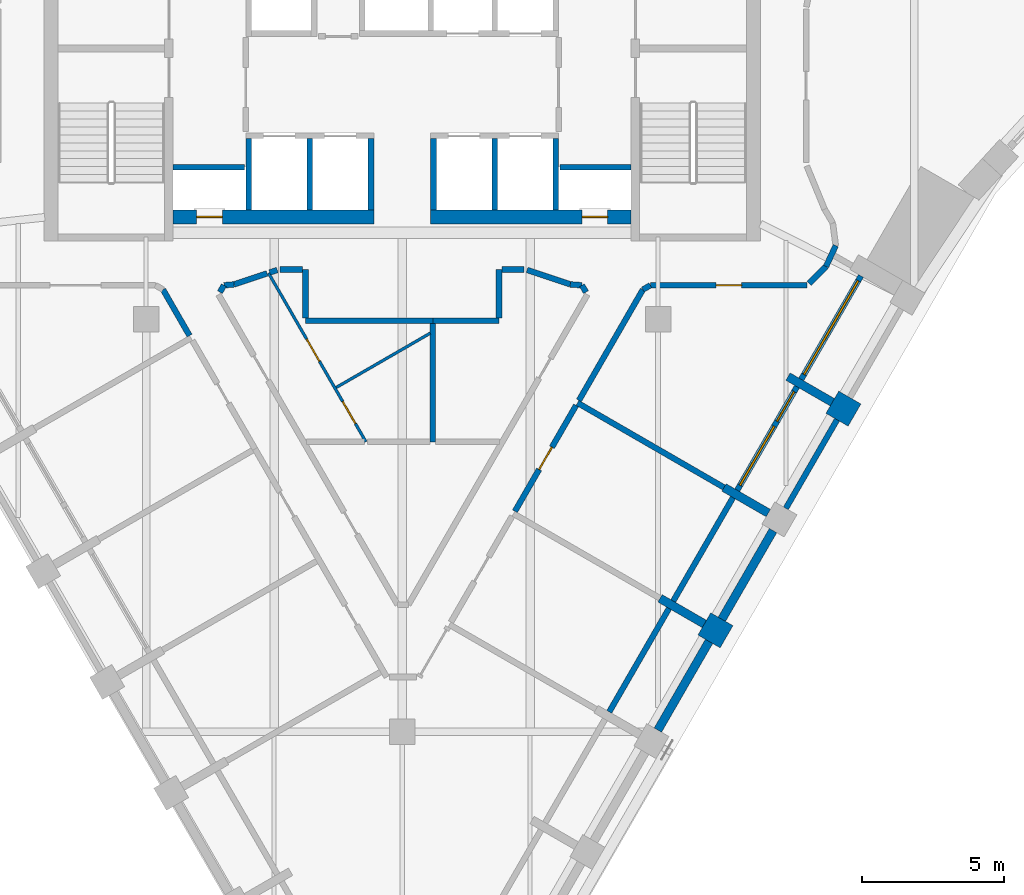
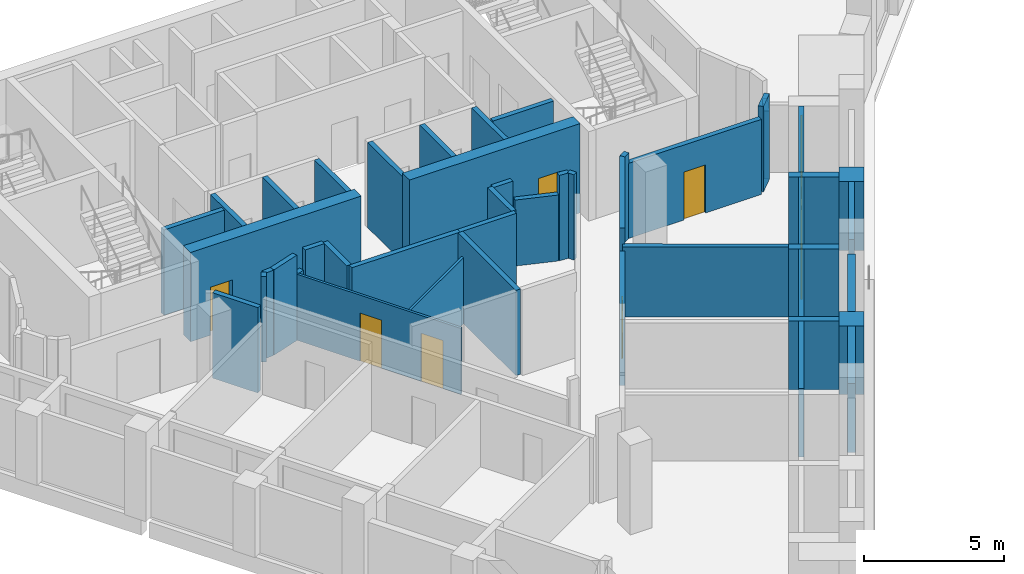
# One storey, part 4 of 9: 46 walls, 7 doors, 2 windows, 9 openings.
"""IFC4 building model written with IfcOpenShell, lengths in metres."""

import ifcopenshell
import ifcopenshell.guid

model = None  # the IFC model being written
_history = None  # IfcOwnerHistory: only IFC2X3 demands one
_inside = {}  # id of a spatial element -> (the spatial element, [elements in it])
_under = {}  # id of a project, library or spatial element -> (it, [spatial elements below it])
_declared = {}  # id of a project -> (the project, [libraries it declares])
_typed = {}  # id of a type object -> (the type object, [elements of that type])
_made_of = {}  # id of a material, layer set ... -> (it, [elements and type objects made of it])


def new_model(schema):
    """Start an empty IFC model of exactly this schema.

    Asked for "IFC4X3", IfcOpenShell would pick the latest addendum, in which some entities
    have other attributes; the version numbers below select the first issue.
    IFC2X3 requires an IfcOwnerHistory on every rooted entity: one is made here for all.
    """
    global model, _history
    if schema == "IFC4X3":
        model = ifcopenshell.file(schema_version=(4, 3, 0, 0))
    else:
        model = ifcopenshell.file(schema=schema)
    _inside.clear()
    _under.clear()
    _declared.clear()
    _typed.clear()
    _made_of.clear()
    _history = None
    if model.schema == "IFC2X3":
        org = make("IfcOrganization", Name="unknown")
        user = make(
            "IfcPersonAndOrganization",
            ThePerson=make("IfcPerson", FamilyName="unknown"),
            TheOrganization=org,
        )
        app = make(
            "IfcApplication",
            ApplicationDeveloper=org,
            Version="unknown",
            ApplicationFullName="unknown",
            ApplicationIdentifier="unknown",
        )
        _history = make(
            "IfcOwnerHistory",
            OwningUser=user,
            OwningApplication=app,
            ChangeAction="ADDED",
            CreationDate=0,
        )
    return model


def make(cls, **values):
    """One entity of the class cls with the attributes given. An attribute that is None is left unset."""
    return model.create_entity(
        cls, **{name: value for name, value in values.items() if value is not None}
    )


def rooted(cls, **values):
    """An entity with a GlobalId (a new one), such as an element, a storey or a relation."""
    return make(cls, GlobalId=ifcopenshell.guid.new(), OwnerHistory=_history, **values)


def si_unit(unit_type, name, prefix=None):
    """IfcSIUnit, for example si_unit("LENGTHUNIT", "METRE", prefix="MILLI")."""
    return make("IfcSIUnit", UnitType=unit_type, Prefix=prefix, Name=name)


def assignment(units):
    """IfcUnitAssignment: the units of a project."""
    return None if units is None else make("IfcUnitAssignment", Units=units)


def point(xyz):
    """IfcCartesianPoint."""
    return None if xyz is None else make("IfcCartesianPoint", Coordinates=xyz)


def direction(xyz):
    """IfcDirection."""
    return None if xyz is None else make("IfcDirection", DirectionRatios=xyz)


def frame(location, z_axis=None, x_axis=None):
    """IfcAxis2Placement3D, a coordinate frame: its origin and axes. An axis left out is left unset."""
    return make(
        "IfcAxis2Placement3D",
        Location=point(location),
        Axis=direction(z_axis),
        RefDirection=direction(x_axis),
    )


def frame_2d(location, x_axis=None):
    """IfcAxis2Placement2D, a coordinate frame in the plane: its origin and x axis."""
    return make(
        "IfcAxis2Placement2D", Location=point(location), RefDirection=direction(x_axis)
    )


def origin():
    """The frame at (0, 0, 0) with its axes left unset."""
    return frame((0.0, 0.0, 0.0))


def place(relative_to, where):
    """IfcLocalPlacement: puts the frame where relative to a parent placement (None: the world)."""
    return make(
        "IfcLocalPlacement", PlacementRelTo=relative_to, RelativePlacement=where
    )


def context(
    kind, dimensions, precision=None, world=None, true_north=None, identifier=None
):
    """IfcGeometricRepresentationContext, for example the 3D "Model" context."""
    return make(
        "IfcGeometricRepresentationContext",
        ContextIdentifier=identifier,
        ContextType=kind,
        CoordinateSpaceDimension=dimensions,
        Precision=precision,
        WorldCoordinateSystem=world,
        TrueNorth=true_north,
    )


def subcontext(parent, identifier, kind, view, scale=None):
    """IfcGeometricRepresentationSubContext, for example "Body" below "Model"."""
    return make(
        "IfcGeometricRepresentationSubContext",
        ContextIdentifier=identifier,
        ContextType=kind,
        ParentContext=parent,
        TargetScale=scale,
        TargetView=view,
    )


def project(units=None, contexts=None):
    """IfcProject with its units and contexts."""
    return rooted(
        "IfcProject",
        Name="project",
        RepresentationContexts=contexts,
        UnitsInContext=assignment(units),
    )


def spatial(cls, under=None, at=None, **own):
    """A site, building, storey or space (cls), placed at a placement, below another one or the project."""
    s = rooted(cls, ObjectPlacement=at, **own)
    if under is not None:
        _under.setdefault(under.id(), (under, []))[1].append(s)
    return s


def polyline(points):
    """IfcPolyline through the points."""
    return make("IfcPolyline", Points=[point(p) for p in points])


def profile(cls, at=None, kind="AREA", **sizes):
    """A parametric profile (cls). Its sizes go by their IFC names, for example OverallWidth=200.0."""
    return make(cls, ProfileType=kind, Position=at, **sizes)


def rectangle(**sizes):
    """IfcRectangleProfileDef."""
    return profile("IfcRectangleProfileDef", **sizes)


def outline(outer, holes=None, kind="AREA"):
    """IfcArbitraryClosedProfileDef: a profile drawn as a closed curve; with holes, ...WithVoids."""
    if holes is None:
        return make("IfcArbitraryClosedProfileDef", ProfileType=kind, OuterCurve=outer)
    return make(
        "IfcArbitraryProfileDefWithVoids",
        ProfileType=kind,
        OuterCurve=outer,
        InnerCurves=holes,
    )


def extrude(swept, where, along, depth):
    """IfcExtrudedAreaSolid: the profile swept, set in the frame where, extruded along a direction by depth."""
    return make(
        "IfcExtrudedAreaSolid",
        SweptArea=swept,
        Position=where,
        ExtrudedDirection=direction(along),
        Depth=depth,
    )


def shape(context_of_items, identifier, shape_type, items):
    """IfcShapeRepresentation: the items that make up one representation, for example the "Body"."""
    return make(
        "IfcShapeRepresentation",
        ContextOfItems=context_of_items,
        RepresentationIdentifier=identifier,
        RepresentationType=shape_type,
        Items=items,
    )


def material(Name=None, Category=None):
    """IfcMaterial."""
    return make("IfcMaterial", Name=Name, Category=Category)


def layer(
    of_material, thickness, ventilated=None, Name=None, Category=None, Priority=None
):
    """IfcMaterialLayer: one layer of a wall or slab, of a material (None: an air gap)."""
    return make(
        "IfcMaterialLayer",
        Material=of_material,
        LayerThickness=thickness,
        IsVentilated=ventilated,
        Name=Name,
        Category=Category,
        Priority=Priority,
    )


def layer_set(layers, Name=None):
    """IfcMaterialLayerSet."""
    return make("IfcMaterialLayerSet", MaterialLayers=layers, LayerSetName=Name)


def made_of(thing, what):
    """Note that an element or type object is made of a material, layer set ...; save() writes the relation."""
    if what is not None:
        _made_of.setdefault(what.id(), (what, []))[1].append(thing)
    return thing


def type_object(cls, material=None, **own):
    """A type object (cls), such as IfcWallType, which elements share."""
    return made_of(rooted(cls, **own), material)


def element(
    cls,
    number,
    at=None,
    inside=None,
    cuts=None,
    type_object=None,
    material=None,
    context=None,
    identifier="Body",
    shape_type=None,
    held_by="IfcProductDefinitionShape",
    body=None,
    shapes=None,
    **own,
):
    """One element of the class cls, such as IfcWall. Its Tag is "e" and its number.

    at: its placement. inside: the storey or other place that contains it. cuts: it is an
    opening in that element (IfcRelVoidsElement). A single representation is given by context,
    identifier, shape_type and body (its items); several are given by shapes. held_by: the class
    of the entity that holds the representations. save() writes the other relations.
    """
    e = rooted(cls, Tag="e%d" % number, ObjectPlacement=at, **own)
    if body is not None:
        shapes = [shape(context, identifier, shape_type, body)]
    if shapes is not None:
        e.Representation = make(held_by, Representations=shapes)
    if inside is not None:
        _inside.setdefault(inside.id(), (inside, []))[1].append(e)
    if cuts is not None:
        rooted(
            "IfcRelVoidsElement", RelatingBuildingElement=cuts, RelatedOpeningElement=e
        )
    if type_object is not None:
        _typed.setdefault(type_object.id(), (type_object, []))[1].append(e)
    return made_of(e, material)


def fill(opening, filler):
    """IfcRelFillsElement: the door or window that sits in an opening."""
    return rooted(
        "IfcRelFillsElement",
        RelatingOpeningElement=opening,
        RelatedBuildingElement=filler,
    )


def aggregate(whole, parts):
    """IfcRelAggregates: a whole, such as a stair, and the parts it consists of."""
    return rooted("IfcRelAggregates", RelatingObject=whole, RelatedObjects=parts)


def save(model, path):
    """Write the relations noted so far, then the file.

    IfcRelAggregates (storeys below a building ...), IfcRelContainedInSpatialStructure (elements
    in a storey), IfcRelDefinesByType, IfcRelAssociatesMaterial and IfcRelDeclares: one each for
    every whole, place, type object, material and project.
    """
    for whole, parts in _under.values():
        aggregate(whole, parts)
    for where, things in _inside.values():
        rooted(
            "IfcRelContainedInSpatialStructure",
            RelatedElements=things,
            RelatingStructure=where,
        )
    for kind, things in _typed.values():
        rooted("IfcRelDefinesByType", RelatedObjects=things, RelatingType=kind)
    for what, things in _made_of.values():
        rooted("IfcRelAssociatesMaterial", RelatedObjects=things, RelatingMaterial=what)
    for by, libraries in _declared.values():
        rooted("IfcRelDeclares", RelatingContext=by, RelatedDefinitions=libraries)
    model.write(path)


model = new_model("IFC4")

# Units and contexts
model_context = context("Model", 3, precision=1e-05, world=origin(), true_north=direction((0.0, 1.0)))
body_context = subcontext(model_context, "Body", "Model", "MODEL_VIEW")
ifc_project = project(units=[si_unit("LENGTHUNIT", "METRE"), si_unit("AREAUNIT", "SQUARE_METRE"), si_unit("VOLUMEUNIT", "CUBIC_METRE"), si_unit("PLANEANGLEUNIT", "RADIAN"), si_unit("MASSUNIT", "GRAM", prefix="KILO")], contexts=[model_context])

# Site, building, storey
site_placement = place(None, origin())
site = spatial("IfcSite", under=ifc_project, at=site_placement, CompositionType="ELEMENT")
building_placement = place(site_placement, origin())
building = spatial("IfcBuilding", under=site, at=building_placement, Name="Calabash Gate Tower", CompositionType="ELEMENT")
storey_placement = place(building_placement, frame((0.0, 0.0, 248.199951171875)))
storey = spatial("IfcBuildingStorey", under=building, at=storey_placement, Name="L59", CompositionType="ELEMENT", Elevation=248.199951171875)

# Walls
ifc_material_1 = material(Name="Terracotta brick masonry, exposed face", Category="masonry")
ifc_layer_1 = layer(ifc_material_1, 0.89990234375)
ifc_layer_set_1 = layer_set([ifc_layer_1], Name="Brick end wall 900")
wall_type_1 = type_object("IfcWallType", Name="Brick end wall 900", PredefinedType="SOLIDWALL", material=ifc_layer_set_1)
wall_1_placement = place(storey_placement, frame((10.7880859375, -8.822021484375, 0.0), z_axis=(0.0, 0.0, 1.0), x_axis=(0.50001992892, 0.866013897511, 0.0)))
element("IfcWall", 1, at=wall_1_placement, inside=storey, type_object=wall_type_1, Name="Brick pier S17 SE2.3", PredefinedType="SOLIDWALL", context=body_context, shape_type="SweptSolid", body=[
    extrude(rectangle(XDim=0.89990234375, YDim=0.89990234375, at=frame_2d((0.449951171875, 0.0))), origin(), (0.0, 0.0, 1.0), 3.0),
])
wall_2_placement = place(storey_placement, frame((15.123291015625, -0.4130859375, 0.0), z_axis=(0.0, 0.0, 1.0), x_axis=(0.865964261186, -0.500105887137, 0.0)))
element("IfcWall", 2, at=wall_2_placement, inside=storey, type_object=wall_type_1, Name="Brick pier S17 SE2.5", PredefinedType="SOLIDWALL", context=body_context, shape_type="SweptSolid", body=[
    extrude(rectangle(XDim=0.900146484375, YDim=0.89990234375, at=frame_2d((0.4501953125, 0.0))), origin(), (0.0, 0.0, 1.0), 3.0),
])
ifc_material_2 = material(Name="Terracotta brick masonry, exposed face", Category="masonry")
ifc_layer_2 = layer(ifc_material_2, 0.300048828125)
ifc_layer_set_2 = layer_set([ifc_layer_2], Name="Brick infill panel wall 300")
wall_type_2 = type_object("IfcWallType", Name="Brick infill panel wall 300", PredefinedType="SOLIDWALL", material=ifc_layer_set_2)
for number, where, z_axis, x_axis, name in (
    (3, (8.988037109375, -11.939697265625, 0.0), (0.0, 0.0, 1.0), (0.500012057535, 0.866018442252, 0.0), "Brick panel S17 SE2.3"),
    (4, (11.238037109375, -8.042724609375, 0.0), (0.0, 0.0, 1.0), (0.500012057535, 0.866018442252, 0.0), "Brick panel S17 SE2.4"),
):
    element("IfcWall", number, at=place(storey_placement, frame(where, z_axis=z_axis, x_axis=x_axis)), inside=storey, type_object=wall_type_2, Name=name, PredefinedType="SOLIDWALL", context=body_context, shape_type="SweptSolid", body=[
        extrude(rectangle(XDim=3.60009765625, YDim=0.300048828125, at=frame_2d((1.800048828125, 0.0))), origin(), (0.0, 0.0, 1.0), 3.0),
    ])
ifc_material_3 = material(Name="Terracotta brick masonry, exposed face", Category="masonry")
ifc_layer_3 = layer(ifc_material_3, 0.300048828125)
ifc_layer_set_3 = layer_set([ifc_layer_3], Name="Brick loggia cheek wall 300")
wall_type_3 = type_object("IfcWallType", Name="Brick loggia cheek wall 300", PredefinedType="SOLIDWALL", material=ifc_layer_set_3)
wall_3_placement = place(storey_placement, frame((9.064453125, -7.307373046875, 0.0), z_axis=(0.0, 0.0, 1.0), x_axis=(0.865989075817, -0.500062916607, 0.0)))
element("IfcWall", 5, at=wall_3_placement, inside=storey, type_object=wall_type_3, Name="Loggia cheek S17 SE2.3", PredefinedType="SOLIDWALL", context=body_context, shape_type="SweptSolid", body=[
    extrude(rectangle(XDim=1.800048828125, YDim=0.300048828125, at=frame_2d((0.89990234375, 0.0))), origin(), (0.0, 0.0, 1.0), 3.0),
])
wall_4_placement = place(storey_placement, frame((11.314453125, -3.410400390625, 0.0), z_axis=(0.0, 0.0, 1.0), x_axis=(0.866029639064, -0.499992664208, 0.0)))
element("IfcWall", 6, at=wall_4_placement, inside=storey, type_object=wall_type_3, Name="Loggia cheek S17 SE2.4", PredefinedType="SOLIDWALL", context=body_context, shape_type="SweptSolid", body=[
    extrude(rectangle(XDim=1.798828125, YDim=0.300048828125, at=frame_2d((0.8994140625, 0.0))), origin(), (0.0, 0.0, 1.0), 3.0),
])
wall_5_placement = place(storey_placement, frame((15.123291015625, -0.4130859375, 0.0), z_axis=(0.0, 0.0, 1.0), x_axis=(-0.866047807691, 0.499961193289, 0.0)))
element("IfcWall", 7, at=wall_5_placement, inside=storey, type_object=wall_type_3, Name="Loggia cheek S17 SE2.5", PredefinedType="SOLIDWALL", context=body_context, shape_type="SweptSolid", body=[
    extrude(rectangle(XDim=1.800048828125, YDim=0.300048828125, at=frame_2d((0.89990234375, 0.0))), origin(), (0.0, 0.0, 1.0), 3.0),
])

# Wall, opening, door
ifc_material_4 = material(Name="Concrete C60/75", Category="concrete")
ifc_layer_4 = layer(ifc_material_4, 0.5)
ifc_layer_set_4 = layer_set([ifc_layer_4], Name="Core wall 500 Concrete C60/75")
wall_type_4 = type_object("IfcWallType", Name="Core wall 500 Concrete C60/75", PredefinedType="SHEAR", material=ifc_layer_set_4)
wall_6_placement = place(storey_placement, frame((-8.050048828125, 6.1025390625, 0.0), z_axis=(0.0, 0.0, 1.0), x_axis=(1.0, 0.0, 0.0)))
wall_6 = element("IfcWall", 8, at=wall_6_placement, inside=storey, type_object=wall_type_4, Name="Core wall Z5-SA L59", PredefinedType="SHEAR", context=body_context, shape_type="SweptSolid", body=[
    extrude(rectangle(XDim=7.050048828125, YDim=0.5, at=frame_2d((3.52490234375, 0.0))), origin(), (0.0, 0.0, 1.0), 3.900146484375),
])
opening_1_placement = place(wall_6_placement, frame((0.824951171875, 0.0, 0.0)))
opening_1 = element("IfcOpeningElement", 9, at=opening_1_placement, cuts=wall_6, Name="Opening O9-010", PredefinedType="OPENING", context=body_context, shape_type="SweptSolid", body=[
    extrude(rectangle(XDim=0.89990234375, YDim=2.10009765625, at=frame_2d((0.449951171875, 1.050048828125))), frame((0.0, 0.260009765625, 0.0), z_axis=(0.0, -1.0, 0.0), x_axis=(1.0, 0.0, 0.0)), (0.0, 0.0, 1.0), 0.52001953125),
])
ifc_material_5 = material(Name="Steel fire door set with fire-resisting glazing", Category="steel")
door_type_1 = type_object("IfcDoorType", Name="Fire door D07 900x2100 FD90", OperationType="NOTDEFINED", PredefinedType="DOOR", material=ifc_material_5)
door_1_placement = place(opening_1_placement, origin())
door_1 = element("IfcDoor", 10, at=door_1_placement, inside=storey, type_object=door_type_1, Name="Electrical Riser W door", OperationType="SINGLE_SWING_LEFT", OverallHeight=2.10009765625, OverallWidth=0.89990234375, PredefinedType="DOOR", context=body_context, shape_type="SweptSolid", body=[
    extrude(rectangle(XDim=0.89990234375, YDim=2.10009765625, at=frame_2d((0.449951171875, 1.050048828125))), frame((0.0, 0.02490234375, 0.0), z_axis=(0.0, -1.0, 0.0), x_axis=(1.0, 0.0, 0.0)), (0.0, 0.0, 1.0), 0.050048828125),
])
fill(opening_1, door_1)

wall_7_placement = place(storey_placement, frame((1.0, 6.1025390625, 0.0), z_axis=(0.0, 0.0, 1.0), x_axis=(1.0, 0.0, 0.0)))
wall_7 = element("IfcWall", 11, at=wall_7_placement, inside=storey, type_object=wall_type_4, Name="Core wall Z5-SB L59", PredefinedType="SHEAR", context=body_context, shape_type="SweptSolid", body=[
    extrude(rectangle(XDim=7.050048828125, YDim=0.5, at=frame_2d((3.52490234375, 0.0))), origin(), (0.0, 0.0, 1.0), 3.900146484375),
])
opening_2_placement = place(wall_7_placement, frame((5.324951171875, 0.0, 0.0)))
opening_2 = element("IfcOpeningElement", 12, at=opening_2_placement, cuts=wall_7, Name="Opening O9-009", PredefinedType="OPENING", context=body_context, shape_type="SweptSolid", body=[
    extrude(rectangle(XDim=0.89990234375, YDim=2.10009765625, at=frame_2d((0.449951171875, 1.050048828125))), frame((0.0, 0.260009765625, 0.0), z_axis=(0.0, -1.0, 0.0), x_axis=(1.0, 0.0, 0.0)), (0.0, 0.0, 1.0), 0.52001953125),
])
door_2_placement = place(opening_2_placement, origin())
door_2 = element("IfcDoor", 13, at=door_2_placement, inside=storey, type_object=door_type_1, Name="Mechanical Riser E door", OperationType="SINGLE_SWING_RIGHT", OverallHeight=2.10009765625, OverallWidth=0.89990234375, PredefinedType="DOOR", context=body_context, shape_type="SweptSolid", body=[
    extrude(rectangle(XDim=0.89990234375, YDim=2.10009765625, at=frame_2d((0.449951171875, 1.050048828125))), frame((0.0, 0.02490234375, 0.0), z_axis=(0.0, -1.0, 0.0), x_axis=(1.0, 0.0, 0.0)), (0.0, 0.0, 1.0), 0.050048828125),
])
fill(opening_2, door_2)

# Wall
ifc_material_6 = material(Name="Gypsum board on steel studs, mineral wool", Category="steel")
ifc_layer_5 = layer(ifc_material_6, 0.10009765625)
ifc_layer_set_5 = layer_set([ifc_layer_5], Name="Partition 100 gypsum board")
wall_type_5 = type_object("IfcWallType", Name="Partition 100 gypsum board", PredefinedType="PARTITIONING", material=ifc_layer_set_5)
wall_8_placement = place(storey_placement, frame((-2.320068359375, 0.105712890625, 0.0), z_axis=(0.0, 0.0, 1.0), x_axis=(0.866013238859, 0.500021069677, 0.0)))
element("IfcWall", 14, at=wall_8_placement, inside=storey, type_object=wall_type_5, Name="Partition", PredefinedType="PARTITIONING", context=body_context, shape_type="SweptSolid", body=[
    extrude(rectangle(XDim=3.821533203125, YDim=0.10009765625, at=frame_2d((1.91064453125, 0.0))), origin(), (0.0, 0.0, 1.0), 2.884033203125),
])

# Wall, openings, doors
wall_9_placement = place(storey_placement, frame((-4.702392578125, 4.13232421875, 0.0), z_axis=(0.0, 0.0, 1.0), x_axis=(0.499966025771, -0.866045017926, 0.0)))
wall_9 = element("IfcWall", 15, at=wall_9_placement, inside=storey, type_object=wall_type_5, Name="Partition", PredefinedType="PARTITIONING", context=body_context, shape_type="SweptSolid", body=[
    extrude(rectangle(XDim=6.8544921875, YDim=0.10009765625, at=frame_2d((3.42724609375, 0.0))), origin(), (0.0, 0.0, 1.0), 2.884033203125),
])
opening_3_placement = place(wall_9_placement, frame((2.68798828125, 0.0, 0.0)))
opening_3 = element("IfcOpeningElement", 16, at=opening_3_placement, cuts=wall_9, Name="Opening 59-61-014", PredefinedType="OPENING", context=body_context, shape_type="SweptSolid", body=[
    extrude(rectangle(XDim=0.89990234375, YDim=2.10009765625, at=frame_2d((0.449951171875, 1.050048828125))), frame((0.0, 0.06005859375, 0.0), z_axis=(0.0, -1.0, 0.0), x_axis=(1.0, 0.0, 0.0)), (0.0, 0.0, 1.0), 0.1201171875),
])
opening_4_placement = place(wall_9_placement, frame((5.215576171875, 0.0, 0.0)))
opening_4 = element("IfcOpeningElement", 17, at=opening_4_placement, cuts=wall_9, Name="Opening 59-61-015", PredefinedType="OPENING", context=body_context, shape_type="SweptSolid", body=[
    extrude(rectangle(XDim=0.89990234375, YDim=2.10009765625, at=frame_2d((0.449951171875, 1.050048828125))), frame((0.0, 0.06005859375, 0.0), z_axis=(0.0, -1.0, 0.0), x_axis=(1.0, 0.0, 0.0)), (0.0, 0.0, 1.0), 0.1201171875),
])
ifc_material_7 = material(Name="Painted timber door", Category="wood")
door_type_2 = type_object("IfcDoorType", Name="WD1 WC door 900x2100", OperationType="NOTDEFINED", PredefinedType="DOOR", material=ifc_material_7)
door_3_placement = place(opening_3_placement, origin())
door_3 = element("IfcDoor", 18, at=door_3_placement, inside=storey, type_object=door_type_2, Name="WC door", OperationType="SINGLE_SWING_LEFT", OverallHeight=2.10009765625, OverallWidth=0.89990234375, PredefinedType="DOOR", context=body_context, shape_type="SweptSolid", body=[
    extrude(rectangle(XDim=0.89990234375, YDim=2.10009765625, at=frame_2d((0.449951171875, 1.050048828125))), frame((0.0, 0.02490234375, 0.0), z_axis=(0.0, -1.0, 0.0), x_axis=(1.0, 0.0, 0.0)), (0.0, 0.0, 1.0), 0.050048828125),
])
fill(opening_3, door_3)
door_4_placement = place(opening_4_placement, origin())
door_4 = element("IfcDoor", 19, at=door_4_placement, inside=storey, type_object=door_type_2, Name="WC door", OperationType="SINGLE_SWING_RIGHT", OverallHeight=2.10009765625, OverallWidth=0.89990234375, PredefinedType="DOOR", context=body_context, shape_type="SweptSolid", body=[
    extrude(rectangle(XDim=0.89990234375, YDim=2.10009765625, at=frame_2d((0.449951171875, 1.050048828125))), frame((0.0, 0.02490234375, 0.0), z_axis=(0.0, -1.0, 0.0), x_axis=(1.0, 0.0, 0.0)), (0.0, 0.0, 1.0), 0.050048828125),
])
fill(opening_4, door_4)

# Wall
ifc_material_8 = material(Name="Gypsum board on steel studs, mineral wool", Category="steel")
ifc_layer_6 = layer(ifc_material_8, 0.199951171875)
ifc_layer_set_6 = layer_set([ifc_layer_6], Name="Partition 200 gypsum board EI 60")
wall_type_6 = type_object("IfcWallType", Name="Partition 200 gypsum board EI 60", PredefinedType="PARTITIONING", material=ifc_layer_set_6)
wall_10_placement = place(storey_placement, frame((1.074462890625, -1.802978515625, 0.0), z_axis=(0.0, 0.0, 1.0), x_axis=(0.0, 1.0, 0.0)))
element("IfcWall", 20, at=wall_10_placement, inside=storey, type_object=wall_type_6, Name="Partition", PredefinedType="PARTITIONING", context=body_context, shape_type="SweptSolid", body=[
    extrude(rectangle(XDim=4.153564453125, YDim=0.199951171875, at=frame_2d((2.07666015625, 0.0))), origin(), (0.0, 0.0, 1.0), 3.72998046875),
])

# Wall, opening, door
wall_11_placement = place(storey_placement, frame((3.96435546875, -4.2451171875, 0.0), z_axis=(0.0, 0.0, 1.0), x_axis=(0.499987977232, 0.866032345022, 0.0)))
wall_11 = element("IfcWall", 21, at=wall_11_placement, inside=storey, type_object=wall_type_6, Name="Partition", PredefinedType="PARTITIONING", context=body_context, shape_type="SweptSolid", body=[
    extrude(rectangle(XDim=4.2978515625, YDim=0.199951171875, at=frame_2d((2.14892578125, 0.0))), origin(), (0.0, 0.0, 1.0), 2.884033203125),
])
opening_5_placement = place(wall_11_placement, frame((1.697998046875, 0.0, 0.0)))
opening_5 = element("IfcOpeningElement", 22, at=opening_5_placement, cuts=wall_11, Name="Opening 59-61-005", PredefinedType="OPENING", context=body_context, shape_type="SweptSolid", body=[
    extrude(rectangle(XDim=0.89990234375, YDim=2.10009765625, at=frame_2d((0.449951171875, 1.050048828125))), frame((0.0, 0.10986328125, 0.0), z_axis=(0.0, -1.0, 0.0), x_axis=(1.0, 0.0, 0.0)), (0.0, 0.0, 1.0), 0.219970703125),
])
ifc_material_9 = material(Name="Steel fire door set with fire-resisting glazing", Category="steel")
door_type_3 = type_object("IfcDoorType", Name="SD3 Store door 900x2100", OperationType="NOTDEFINED", PredefinedType="DOOR", material=ifc_material_9)
door_5_placement = place(opening_5_placement, origin())
door_5 = element("IfcDoor", 23, at=door_5_placement, inside=storey, type_object=door_type_3, Name="Store door", OperationType="SINGLE_SWING_RIGHT", OverallHeight=2.10009765625, OverallWidth=0.89990234375, PredefinedType="DOOR", context=body_context, shape_type="SweptSolid", body=[
    extrude(rectangle(XDim=0.89990234375, YDim=2.10009765625, at=frame_2d((0.449951171875, 1.050048828125))), frame((0.0, 0.02490234375, 0.0), z_axis=(0.0, -1.0, 0.0), x_axis=(1.0, 0.0, 0.0)), (0.0, 0.0, 1.0), 0.050048828125),
])
fill(opening_5, door_5)

# Walls
wall_12_placement = place(storey_placement, frame((6.1630859375, -0.433837890625, 0.0), z_axis=(0.0, 0.0, 1.0), x_axis=(0.865895092647, -0.500225637618, 0.0)))
element("IfcWall", 24, at=wall_12_placement, inside=storey, type_object=wall_type_6, Name="Partition", PredefinedType="PARTITIONING", context=body_context, shape_type="SweptSolid", body=[
    extrude(rectangle(XDim=5.949462890625, YDim=0.199951171875, at=frame_2d((2.974609375, 0.0))), origin(), (0.0, 0.0, 1.0), 3.052001953125),
])
wall_13_placement = place(storey_placement, frame((-8.40869140625, 3.54638671875, 0.0), z_axis=(0.0, 0.0, 1.0), x_axis=(0.499446790572, -0.866344563893, 0.0)))
element("IfcWall", 25, at=wall_13_placement, inside=storey, type_object=wall_type_6, Name="Partition", PredefinedType="PARTITIONING", context=body_context, shape_type="SweptSolid", body=[
    extrude(rectangle(XDim=1.86572265625, YDim=0.199951171875, at=frame_2d((0.932861328125, 0.0))), origin(), (0.0, 0.0, 1.0), 3.72998046875),
])
wall_14_placement = place(storey_placement, frame((-3.400146484375, 2.452392578125, 0.0), z_axis=(0.0, 0.0, 1.0), x_axis=(0.999999927065, -0.000381929261, 0.0)))
element("IfcWall", 26, at=wall_14_placement, inside=storey, type_object=wall_type_6, Name="Partition", PredefinedType="PARTITIONING", context=body_context, shape_type="SweptSolid", body=[
    extrude(rectangle(XDim=4.474609375, YDim=0.199951171875, at=frame_2d((2.2373046875, 0.0))), origin(), (0.0, 0.0, 1.0), 3.72998046875),
])
wall_15_placement = place(storey_placement, frame((1.076416015625, 2.45068359375, 0.0), z_axis=(0.0, 0.0, 1.0), x_axis=(0.999999729558, 0.000735448425, 0.0)))
element("IfcWall", 27, at=wall_15_placement, inside=storey, type_object=wall_type_6, Name="Partition", PredefinedType="PARTITIONING", context=body_context, shape_type="SweptSolid", body=[
    extrude(rectangle(XDim=2.32373046875, YDim=0.199951171875, at=frame_2d((1.161865234375, 0.0))), origin(), (0.0, 0.0, 1.0), 3.72998046875),
])
wall_16_placement = place(storey_placement, frame((-3.400146484375, 4.25244140625, 0.0), z_axis=(0.0, 0.0, 1.0), x_axis=(0.0, -1.0, 0.0)))
element("IfcWall", 28, at=wall_16_placement, inside=storey, type_object=wall_type_6, Name="Partition", PredefinedType="PARTITIONING", context=body_context, shape_type="SweptSolid", body=[
    extrude(rectangle(XDim=1.699951171875, YDim=0.199951171875, at=frame_2d((0.85009765625, 0.0))), origin(), (0.0, 0.0, 1.0), 3.72998046875),
])
wall_17_placement = place(storey_placement, frame((6.3203125, 3.69970703125, 0.0), z_axis=(0.0, 0.0, 1.0), x_axis=(0.499973348067, -0.866040790738, 0.0)))
element("IfcWall", 29, at=wall_17_placement, inside=storey, type_object=wall_type_6, Name="Partition", PredefinedType="PARTITIONING", context=body_context, shape_type="SweptSolid", body=[
    extrude(rectangle(XDim=0.28076171875, YDim=0.199951171875, at=frame_2d((0.140380859375, 0.0))), origin(), (0.0, 0.0, 1.0), 3.72998046875),
])
wall_18_placement = place(storey_placement, frame((6.213623046875, -0.34912109375, 0.0), z_axis=(0.0, 0.0, 1.0), x_axis=(0.499747517155, 0.866171125758, 0.0)))
element("IfcWall", 30, at=wall_18_placement, inside=storey, type_object=wall_type_6, Name="Partition", PredefinedType="PARTITIONING", context=body_context, shape_type="SweptSolid", body=[
    extrude(rectangle(XDim=4.497314453125, YDim=0.199951171875, at=frame_2d((2.24853515625, 0.0))), origin(), (0.0, 0.0, 1.0), 3.72998046875),
])
wall_19_placement = place(storey_placement, frame((-6.408447265625, 3.45654296875, 0.0), z_axis=(0.0, 0.0, 1.0), x_axis=(0.499973348067, 0.866040790738, 0.0)))
element("IfcWall", 31, at=wall_19_placement, inside=storey, type_object=wall_type_6, Name="Partition", PredefinedType="PARTITIONING", context=body_context, shape_type="SweptSolid", body=[
    extrude(rectangle(XDim=0.28076171875, YDim=0.199951171875, at=frame_2d((0.140380859375, 0.0))), origin(), (0.0, 0.0, 1.0), 3.72998046875),
])
wall_20_placement = place(storey_placement, frame((-6.26806640625, 3.69970703125, 0.0), z_axis=(0.0, 0.0, 1.0), x_axis=(0.996441862788, 0.084282940645, 0.0)))
element("IfcWall", 32, at=wall_20_placement, inside=storey, type_object=wall_type_6, Name="Partition", PredefinedType="PARTITIONING", context=body_context, shape_type="SweptSolid", body=[
    extrude(rectangle(XDim=0.359130859375, YDim=0.199951171875, at=frame_2d((0.1796875, 0.0))), origin(), (0.0, 0.0, 1.0), 3.72998046875),
])
wall_21_placement = place(storey_placement, frame((8.461181640625, 3.54638671875, 0.0), z_axis=(0.0, 0.0, 1.0), x_axis=(0.865826662844, 0.500344071524, 0.0)))
element("IfcWall", 33, at=wall_21_placement, inside=storey, type_object=wall_type_6, Name="Partition", PredefinedType="PARTITIONING", context=body_context, shape_type="SweptSolid", body=[
    extrude(rectangle(XDim=0.305908203125, YDim=0.199951171875, at=frame_2d((0.15283203125, 0.0))), origin(), (0.0, 0.0, 1.0), 3.72998046875),
])

# Wall, opening, door
wall_22_placement = place(storey_placement, frame((8.72607421875, 3.699462890625, 0.0), z_axis=(0.0, 0.0, 1.0), x_axis=(1.0, 0.0, 0.0)))
wall_22 = element("IfcWall", 34, at=wall_22_placement, inside=storey, type_object=wall_type_6, Name="Partition", PredefinedType="PARTITIONING", context=body_context, shape_type="SweptSolid", body=[
    extrude(rectangle(XDim=5.513916015625, YDim=0.199951171875, at=frame_2d((2.7568359375, 0.0))), origin(), (0.0, 0.0, 1.0), 3.2822265625),
])
opening_6_placement = place(wall_22_placement, frame((2.306884765625, 0.0, 0.0)))
opening_6 = element("IfcOpeningElement", 35, at=opening_6_placement, cuts=wall_22, Name="Opening 59-61-011", PredefinedType="OPENING", context=body_context, shape_type="SweptSolid", body=[
    extrude(rectangle(XDim=0.89990234375, YDim=2.10009765625, at=frame_2d((0.449951171875, 1.050048828125))), frame((0.0, 0.10986328125, 0.0), z_axis=(0.0, -1.0, 0.0), x_axis=(1.0, 0.0, 0.0)), (0.0, 0.0, 1.0), 0.219970703125),
])
door_6_placement = place(opening_6_placement, origin())
door_6 = element("IfcDoor", 36, at=door_6_placement, inside=storey, type_object=door_type_3, Name="Store door", OperationType="SINGLE_SWING_RIGHT", OverallHeight=2.10009765625, OverallWidth=0.89990234375, PredefinedType="DOOR", context=body_context, shape_type="SweptSolid", body=[
    extrude(rectangle(XDim=0.89990234375, YDim=2.10009765625, at=frame_2d((0.449951171875, 1.050048828125))), frame((0.0, 0.02490234375, 0.0), z_axis=(0.0, -1.0, 0.0), x_axis=(1.0, 0.0, 0.0)), (0.0, 0.0, 1.0), 0.050048828125),
])
fill(opening_6, door_6)

# Walls
wall_23_placement = place(storey_placement, frame((4.392578125, 4.235595703125, 0.0), z_axis=(0.0, 0.0, 1.0), x_axis=(0.948729076189, -0.316090398453, 0.0)))
element("IfcWall", 37, at=wall_23_placement, inside=storey, type_object=wall_type_6, Name="Partition", PredefinedType="PARTITIONING", context=body_context, shape_type="SweptSolid", body=[
    extrude(rectangle(XDim=1.599609375, YDim=0.199951171875, at=frame_2d((0.7998046875, 0.0))), origin(), (0.0, 0.0, 1.0), 2.884033203125),
])
wall_24_placement = place(storey_placement, frame((5.91015625, 3.72998046875, 0.0), z_axis=(0.0, 0.0, 1.0), x_axis=(0.997287156444, -0.073609290118, 0.0)))
element("IfcWall", 38, at=wall_24_placement, inside=storey, type_object=wall_type_6, Name="Partition", PredefinedType="PARTITIONING", context=body_context, shape_type="SweptSolid", body=[
    extrude(rectangle(XDim=0.411376953125, YDim=0.199951171875, at=frame_2d((0.20556640625, 0.0))), origin(), (0.0, 0.0, 1.0), 3.72998046875),
])
wall_25_placement = place(storey_placement, frame((-5.91015625, 3.72998046875, 0.0), z_axis=(0.0, 0.0, 1.0), x_axis=(0.949201798451, 0.314667992999, 0.0)))
element("IfcWall", 39, at=wall_25_placement, inside=storey, type_object=wall_type_6, Name="Partition", PredefinedType="PARTITIONING", context=body_context, shape_type="SweptSolid", body=[
    extrude(rectangle(XDim=1.22119140625, YDim=0.199951171875, at=frame_2d((0.610595703125, 0.0))), origin(), (0.0, 0.0, 1.0), 3.72998046875),
])
wall_26_placement = place(storey_placement, frame((-4.656005859375, 4.146240234375, 0.0), z_axis=(0.0, 0.0, 1.0), x_axis=(0.947002540531, 0.321226070282, 0.0)))
element("IfcWall", 40, at=wall_26_placement, inside=storey, type_object=wall_type_6, Name="Partition", PredefinedType="PARTITIONING", context=body_context, shape_type="SweptSolid", body=[
    extrude(rectangle(XDim=0.278076171875, YDim=0.199951171875, at=frame_2d((0.13916015625, 0.0))), origin(), (0.0, 0.0, 1.0), 2.884033203125),
])
wall_27_placement = place(storey_placement, frame((-4.2890625, 4.25244140625, 0.0), z_axis=(0.0, 0.0, 1.0), x_axis=(1.0, 0.0, 0.0)))
element("IfcWall", 41, at=wall_27_placement, inside=storey, type_object=wall_type_6, Name="Partition", PredefinedType="PARTITIONING", context=body_context, shape_type="SweptSolid", body=[
    extrude(rectangle(XDim=0.788818359375, YDim=0.199951171875, at=frame_2d((0.39453125, 0.0))), origin(), (0.0, 0.0, 1.0), 3.72998046875),
])
wall_28_placement = place(storey_placement, frame((3.400146484375, 2.552490234375, 0.0), z_axis=(0.0, 0.0, 1.0), x_axis=(0.001150250857, 0.999999338461, 0.0)))
element("IfcWall", 42, at=wall_28_placement, inside=storey, type_object=wall_type_6, Name="Partition", PredefinedType="PARTITIONING", context=body_context, shape_type="SweptSolid", body=[
    extrude(rectangle(XDim=1.697998046875, YDim=0.199951171875, at=frame_2d((0.84912109375, 0.0))), origin(), (0.0, 0.0, 1.0), 3.72998046875),
])
wall_29_placement = place(storey_placement, frame((3.501953125, 4.250732421875, 0.0), z_axis=(0.0, 0.0, 1.0), x_axis=(0.999997642919, 0.002171210763, 0.0)))
element("IfcWall", 43, at=wall_29_placement, inside=storey, type_object=wall_type_6, Name="Partition", PredefinedType="PARTITIONING", context=body_context, shape_type="SweptSolid", body=[
    extrude(rectangle(XDim=0.787109375, YDim=0.199951171875, at=frame_2d((0.3935546875, 0.0))), origin(), (0.0, 0.0, 1.0), 3.72998046875),
])
wall_30_placement = place(storey_placement, frame((14.310791015625, 3.770263671875, 0.0), z_axis=(0.0, 0.0, 1.0), x_axis=(0.707253195258, 0.706960336792, 0.0)))
element("IfcWall", 44, at=wall_30_placement, inside=storey, type_object=wall_type_6, Name="Partition", PredefinedType="PARTITIONING", context=body_context, shape_type="SweptSolid", body=[
    extrude(rectangle(XDim=0.833740234375, YDim=0.199951171875, at=frame_2d((0.4169921875, 0.0))), origin(), (0.0, 0.0, 1.0), 3.72998046875),
])
wall_31_placement = place(storey_placement, frame((14.900390625, 4.359619140625, 0.0), z_axis=(0.0, 0.0, 1.0), x_axis=(0.423133460634, 0.906067367524, 0.0)))
element("IfcWall", 45, at=wall_31_placement, inside=storey, type_object=wall_type_6, Name="Partition", PredefinedType="PARTITIONING", context=body_context, shape_type="SweptSolid", body=[
    extrude(rectangle(XDim=0.808349609375, YDim=0.199951171875, at=frame_2d((0.404296875, 0.0))), origin(), (0.0, 0.0, 1.0), 2.9501953125),
])
ifc_material_10 = material(Name="Concrete C40/50", Category="concrete")
ifc_layer_7 = layer(ifc_material_10, 0.199951171875)
ifc_layer_set_7 = layer_set([ifc_layer_7], Name="Shaft wall 200 Concrete C40/50")
wall_type_7 = type_object("IfcWallType", Name="Shaft wall 200 Concrete C40/50", PredefinedType="SOLIDWALL", material=ifc_layer_set_7)
for number, where, z_axis, x_axis, name in (
    (46, (-5.39990234375, 6.3525390625, 0.0), (0.0, 0.0, 1.0), (0.0, 1.0, 0.0), "Shaft wall"),
    (47, (-3.25, 6.3525390625, 0.0), (0.0, 0.0, 1.0), (0.0, 1.0, 0.0), "Shaft wall"),
    (48, (-1.10009765625, 6.3525390625, 0.0), (0.0, 0.0, 1.0), (0.0, 1.0, 0.0), "Shaft wall"),
    (49, (1.10009765625, 6.3525390625, 0.0), (0.0, 0.0, 1.0), (0.0, 1.0, 0.0), "Shaft wall"),
    (50, (3.25, 6.3525390625, 0.0), (0.0, 0.0, 1.0), (0.0, 1.0, 0.0), "Shaft wall"),
    (51, (5.39990234375, 6.3525390625, 0.0), (0.0, 0.0, 1.0), (0.0, 1.0, 0.0), "Shaft wall"),
    (52, (-8.050048828125, 7.8525390625, 0.0), (0.0, 0.0, 1.0), (1.0, 0.0, 0.0), "Shaft wall"),
    (53, (5.550048828125, 7.8525390625, 0.0), (0.0, 0.0, 1.0), (1.0, 0.0, 0.0), "Shaft wall"),
):
    element("IfcWall", number, at=place(storey_placement, frame(where, z_axis=z_axis, x_axis=x_axis)), inside=storey, type_object=wall_type_7, Name=name, PredefinedType="SOLIDWALL", context=body_context, shape_type="SweptSolid", body=[
        extrude(rectangle(XDim=2.5, YDim=0.199951171875, at=frame_2d((1.25, 0.0))), origin(), (0.0, 0.0, 1.0), 3.72998046875),
    ])
ifc_material_11 = material(Name="Terracotta brick masonry, perforated", Category="masonry")
ifc_layer_8 = layer(ifc_material_11, 0.199951171875)
ifc_layer_set_8 = layer_set([ifc_layer_8], Name="Terracotta jaali screen A")
wall_type_8 = type_object("IfcWallType", Name="Terracotta jaali screen A", PredefinedType="SOLIDWALL", material=ifc_layer_set_8)
wall_32_placement = place(storey_placement, origin())
element("IfcWall", 54, at=wall_32_placement, inside=storey, type_object=wall_type_8, Name="SCREEN A S17 SE2.5", PredefinedType="SOLIDWALL", context=body_context, shape_type="SweptSolid", body=[
    extrude(outline(polyline([(15.201416015625, -0.977783203125), (13.40234375, -4.09375), (13.57568359375, -4.19384765625), (15.37451171875, -1.077880859375), (15.201416015625, -0.977783203125)])), origin(), (0.0, 0.0, 1.0), 3.0),
])
ifc_material_12 = material(Name="Aluminium framed window wall with insulated spandrel", Category="aluminium")
ifc_layer_9 = layer(ifc_material_12, 0.199951171875)
ifc_layer_set_9 = layer_set([ifc_layer_9], Name="Window wall 200")
wall_type_9 = type_object("IfcWallType", Name="Window wall 200", PredefinedType="ELEMENTEDWALL", material=ifc_layer_set_9)
wall_33_placement = place(storey_placement, frame((7.279052734375, -11.299560546875, 0.0), z_axis=(0.0, 0.0, 1.0), x_axis=(0.500027713859, 0.866009402589, 0.0)))
element("IfcWall", 55, at=wall_33_placement, inside=storey, type_object=wall_type_9, Name="Window wall S17 SE2.3", PredefinedType="ELEMENTEDWALL", context=body_context, shape_type="SweptSolid", body=[
    extrude(rectangle(XDim=4.199951171875, YDim=0.199951171875, at=frame_2d((2.10009765625, 0.0))), origin(), (0.0, 0.0, 1.0), 3.0),
])
wall_34_placement = place(storey_placement, frame((9.529052734375, -7.402587890625, 0.0), z_axis=(0.0, 0.0, 1.0), x_axis=(0.500002543286, 0.866023935413, 0.0)))
element("IfcWall", 56, at=wall_34_placement, inside=storey, type_object=wall_type_9, Name="Window wall S17 SE2.4", PredefinedType="ELEMENTEDWALL", context=body_context, shape_type="SweptSolid", body=[
    extrude(rectangle(XDim=4.2001953125, YDim=0.199951171875, at=frame_2d((2.10009765625, 0.0))), origin(), (0.0, 0.0, 1.0), 3.0),
])

# Wall, openings, door, window
wall_35_placement = place(storey_placement, frame((11.779052734375, -3.50537109375, 0.0), z_axis=(0.0, 0.0, 1.0), x_axis=(0.500027713859, 0.866009402589, 0.0)))
wall_35 = element("IfcWall", 57, at=wall_35_placement, inside=storey, type_object=wall_type_9, Name="Window wall S17 SE2.5", PredefinedType="ELEMENTEDWALL", context=body_context, shape_type="SweptSolid", body=[
    extrude(rectangle(XDim=4.199951171875, YDim=0.199951171875, at=frame_2d((2.10009765625, 0.0))), origin(), (0.0, 0.0, 1.0), 3.0),
])
opening_7_placement = place(wall_35_placement, frame((0.199951171875, 0.0, 0.449951171875)))
opening_7 = element("IfcOpeningElement", 58, at=opening_7_placement, cuts=wall_35, Name="Opening OW1", PredefinedType="OPENING", context=body_context, shape_type="SweptSolid", body=[
    extrude(rectangle(XDim=2.39990234375, YDim=2.25, at=frame_2d((1.199951171875, 1.125))), frame((0.0, 0.10986328125, 0.0), z_axis=(0.0, -1.0, 0.0), x_axis=(1.0, 0.0, 0.0)), (0.0, 0.0, 1.0), 0.219970703125),
])
opening_8_placement = place(wall_35_placement, frame((2.800048828125, 0.0, 0.0)))
opening_8 = element("IfcOpeningElement", 59, at=opening_8_placement, cuts=wall_35, Name="Opening O9-016", PredefinedType="OPENING", context=body_context, shape_type="SweptSolid", body=[
    extrude(rectangle(XDim=1.199951171875, YDim=2.699951171875, at=frame_2d((0.60009765625, 1.35009765625))), frame((0.0, 0.10986328125, 0.0), z_axis=(0.0, -1.0, 0.0), x_axis=(1.0, 0.0, 0.0)), (0.0, 0.0, 1.0), 0.219970703125),
])
ifc_material_13 = material(Name="Anodised aluminium frame, bronze finish, impact-rated laminated clear glazing", Category="aluminium")
door_type_4 = type_object("IfcDoorType", Name="Loggia door DO1 1200x2700", OperationType="SLIDING_TO_LEFT", PredefinedType="DOOR", material=ifc_material_13)
door_7_placement = place(opening_8_placement, origin())
door_7 = element("IfcDoor", 60, at=door_7_placement, inside=storey, type_object=door_type_4, Name="Loggia door S17 SE2.5", OperationType="SINGLE_SWING_LEFT", OverallHeight=2.699951171875, OverallWidth=1.199951171875, PredefinedType="DOOR", context=body_context, shape_type="SweptSolid", body=[
    extrude(rectangle(XDim=1.199951171875, YDim=2.699951171875, at=frame_2d((0.60009765625, 1.35009765625))), frame((0.0, 0.02490234375, 0.0), z_axis=(0.0, -1.0, 0.0), x_axis=(1.0, 0.0, 0.0)), (0.0, 0.0, 1.0), 0.050048828125),
])
fill(opening_8, door_7)
ifc_material_14 = material(Name="Anodised aluminium frame, bronze finish, impact-rated laminated clear glazing", Category="aluminium")
window_type_1 = type_object("IfcWindowType", Name="Window OW1 2400x2250", PartitioningType="DOUBLE_PANEL_VERTICAL", PredefinedType="WINDOW", material=ifc_material_14)
window_1_placement = place(opening_7_placement, origin())
window_1 = element("IfcWindow", 61, at=window_1_placement, inside=storey, type_object=window_type_1, Name="Window OW1 S17 SE2.5", OverallHeight=2.25, OverallWidth=2.39990234375, PartitioningType="SINGLE_PANEL", PredefinedType="WINDOW", context=body_context, shape_type="SweptSolid", body=[
    extrude(rectangle(XDim=2.39990234375, YDim=2.25, at=frame_2d((1.199951171875, 1.125))), frame((0.0, 0.030029296875, 0.0), z_axis=(0.0, -1.0, 0.0), x_axis=(1.0, 0.0, 0.0)), (0.0, 0.0, 1.0), 0.06005859375),
])
fill(opening_7, window_1)

# Wall, opening, window
wall_36_placement = place(storey_placement, frame((14.029052734375, 0.391845703125, 0.0), z_axis=(0.0, 0.0, 1.0), x_axis=(0.500027713859, 0.866009402589, 0.0)))
wall_36 = element("IfcWall", 62, at=wall_36_placement, inside=storey, type_object=wall_type_9, Name="Window wall S17 SE2.6", PredefinedType="ELEMENTEDWALL", context=body_context, shape_type="SweptSolid", body=[
    extrude(rectangle(XDim=4.199951171875, YDim=0.199951171875, at=frame_2d((2.10009765625, 0.0))), origin(), (0.0, 0.0, 1.0), 2.9501953125),
])
opening_9_placement = place(wall_36_placement, frame((0.199951171875, 0.0, 0.449951171875)))
opening_9 = element("IfcOpeningElement", 63, at=opening_9_placement, cuts=wall_36, Name="Opening OW2", PredefinedType="OPENING", context=body_context, shape_type="SweptSolid", body=[
    extrude(rectangle(XDim=3.800048828125, YDim=2.25, at=frame_2d((1.89990234375, 1.125))), frame((0.0, 0.10986328125, 0.0), z_axis=(0.0, -1.0, 0.0), x_axis=(1.0, 0.0, 0.0)), (0.0, 0.0, 1.0), 0.219970703125),
])
ifc_material_15 = material(Name="Anodised aluminium frame, bronze finish, impact-rated laminated clear glazing", Category="aluminium")
window_type_2 = type_object("IfcWindowType", Name="Window OW2 3800x2250", PartitioningType="TRIPLE_PANEL_VERTICAL", PredefinedType="WINDOW", material=ifc_material_15)
window_2_placement = place(opening_9_placement, origin())
window_2 = element("IfcWindow", 64, at=window_2_placement, inside=storey, type_object=window_type_2, Name="Window OW2 S17 SE2.6", OverallHeight=2.25, OverallWidth=3.800048828125, PartitioningType="SINGLE_PANEL", PredefinedType="WINDOW", context=body_context, shape_type="SweptSolid", body=[
    extrude(rectangle(XDim=3.800048828125, YDim=2.25, at=frame_2d((1.89990234375, 1.125))), frame((0.0, 0.030029296875, 0.0), z_axis=(0.0, -1.0, 0.0), x_axis=(1.0, 0.0, 0.0)), (0.0, 0.0, 1.0), 0.06005859375),
])
fill(opening_9, window_2)

save(model, "model.ifc")
